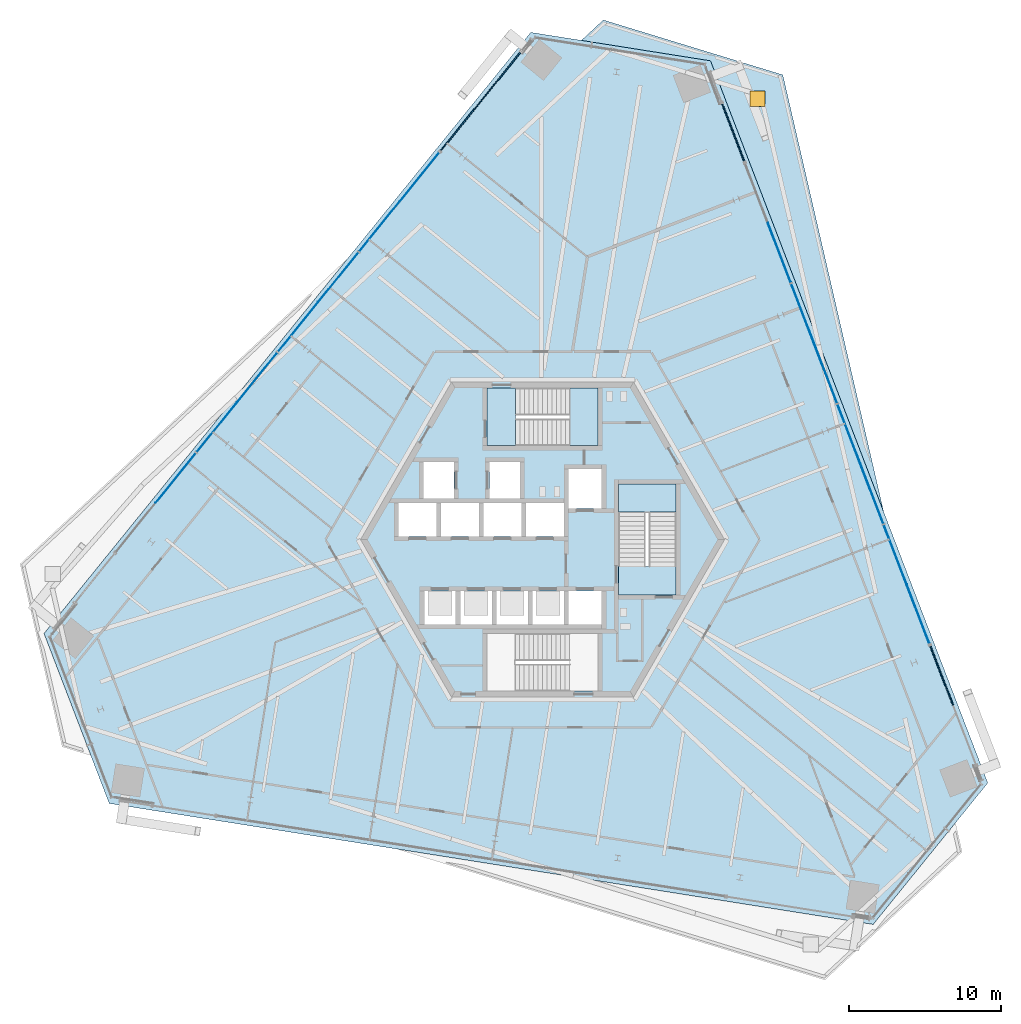
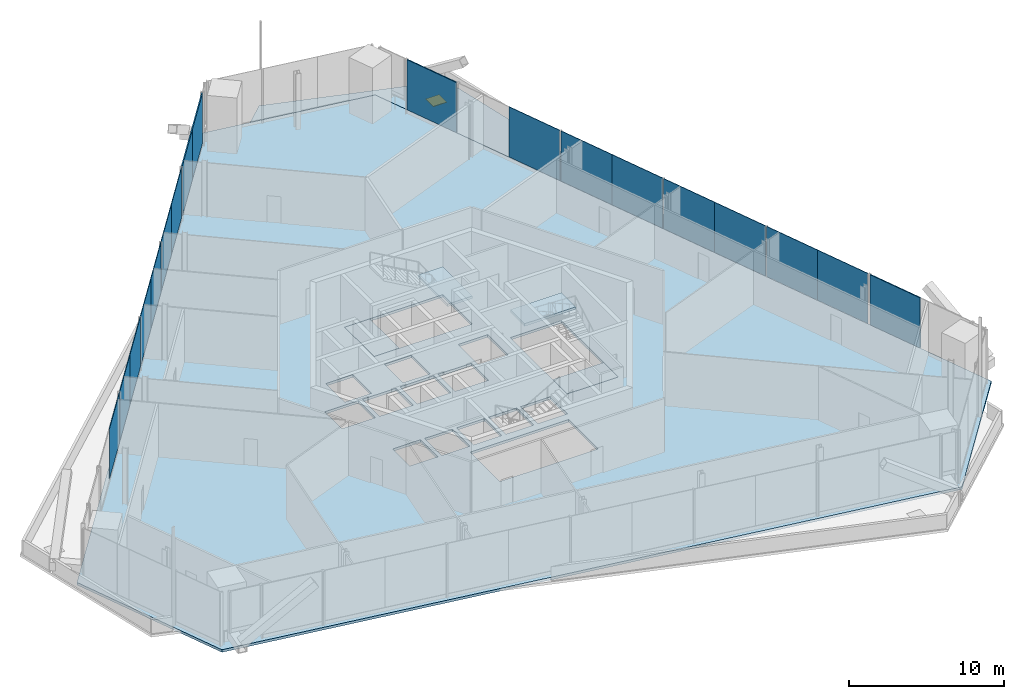
# One storey, part 11 of 22: 18 plates, 6 slabs, 1 door, 1 opening, 7 elements without a shape of their own.
"""IFC4 building model written with IfcOpenShell, lengths in metres."""

from ifc_helpers import new_model, si_unit, direction, frame, origin, origin_2d, place, context, subcontext, project, spatial, polyline, rectangle, outline, extrude, source, transform, mapped, material, layer, layer_set, type_object, element, fill, aggregate, save


model = new_model("IFC4")

# Units and contexts
model_context = context("Model", 3, precision=1e-05, world=origin(), true_north=direction((0.0, 1.0)))
body_context = subcontext(model_context, "Body", "Model", "MODEL_VIEW")
ifc_project = project(units=[si_unit("LENGTHUNIT", "METRE"), si_unit("AREAUNIT", "SQUARE_METRE"), si_unit("VOLUMEUNIT", "CUBIC_METRE"), si_unit("PLANEANGLEUNIT", "RADIAN"), si_unit("MASSUNIT", "GRAM", prefix="KILO")], contexts=[model_context])

# Site, building, storey
site_placement = place(None, origin())
site = spatial("IfcSite", under=ifc_project, at=site_placement, CompositionType="ELEMENT")
building_placement = place(site_placement, origin())
building = spatial("IfcBuilding", under=site, at=building_placement, Name="Triune Harvest Tower", CompositionType="ELEMENT")
storey_placement = place(building_placement, frame((0.0, 0.0, 138.10009765625)))
storey = spatial("IfcBuildingStorey", under=building, at=storey_placement, Name="L35", CompositionType="ELEMENT", Elevation=138.10009765625)

# Slab
ifc_material_1 = material(Name="Concrete 40 MPa", Category="concrete")
ifc_layer_1 = layer(ifc_material_1, 0.199951171875)
ifc_layer_set_1 = layer_set([ifc_layer_1], Name="Concrete 40 MPa")
slab_type_1 = type_object("IfcSlabType", Name="SL-3 Composite floor slab 200", PredefinedType="FLOOR", material=ifc_layer_set_1)
slab_1_placement = place(storey_placement, frame((0.0, 0.0, -0.2001953125)))
element("IfcSlab", 1, at=slab_1_placement, inside=storey, type_object=slab_type_1, Name="slab/L35/1", PredefinedType="FLOOR", context=body_context, shape_type="SweptSolid", body=[
    extrude(outline(polyline([(29.35107421875, -16.04736328125), (11.07421875, 31.565185546875), (-0.778076171875, 33.4423828125), (-32.873291015625, -6.19189453125), (-28.572998046875, -17.39501953125), (21.799072265625, -25.373291015625), (29.35107421875, -16.04736328125)]), holes=[polyline([(-7.0, 0.2099609375), (-7.0, 2.409912109375), (-9.5, 2.409912109375), (-9.5, 0.2099609375), (-7.0, 0.2099609375)]), polyline([(-4.199951171875, 0.2099609375), (-4.199951171875, 2.409912109375), (-6.699951171875, 2.409912109375), (-6.699951171875, 0.2099609375), (-4.199951171875, 0.2099609375)]), polyline([(-1.39990234375, 0.2099609375), (-1.39990234375, 2.409912109375), (-3.89990234375, 2.409912109375), (-3.89990234375, 0.2099609375), (-1.39990234375, 0.2099609375)]), polyline([(1.39990234375, 0.2099609375), (1.39990234375, 2.409912109375), (-1.10009765625, 2.409912109375), (-1.10009765625, 0.2099609375), (1.39990234375, 0.2099609375)]), polyline([(-5.72509765625, -5.590087890625), (-5.72509765625, -3.389892578125), (-7.800048828125, -3.389892578125), (-7.800048828125, -5.590087890625), (-5.72509765625, -5.590087890625)]), polyline([(-3.35009765625, -5.590087890625), (-3.35009765625, -3.389892578125), (-5.425048828125, -3.389892578125), (-5.425048828125, -5.590087890625), (-3.35009765625, -5.590087890625)]), polyline([(-0.97509765625, -5.590087890625), (-0.97509765625, -3.389892578125), (-3.050048828125, -3.389892578125), (-3.050048828125, -5.590087890625), (-0.97509765625, -5.590087890625)]), polyline([(1.39990234375, -5.590087890625), (1.39990234375, -3.389892578125), (-0.675048828125, -3.389892578125), (-0.675048828125, -5.590087890625), (1.39990234375, -5.590087890625)]), polyline([(3.89990234375, 2.06005859375), (3.89990234375, 4.659912109375), (1.699951171875, 4.659912109375), (1.699951171875, 2.06005859375), (3.89990234375, 2.06005859375)]), polyline([(3.89990234375, -5.590087890625), (3.89990234375, -3.389892578125), (1.699951171875, -3.389892578125), (1.699951171875, -5.590087890625), (3.89990234375, -5.590087890625)]), polyline([(-5.85009765625, 2.7099609375), (-5.85009765625, 5.110107421875), (-7.85009765625, 5.110107421875), (-7.85009765625, 2.7099609375), (-5.85009765625, 2.7099609375)]), polyline([(-1.5, 2.7099609375), (-1.5, 5.110107421875), (-3.5, 5.110107421875), (-3.5, 2.7099609375), (-1.5, 2.7099609375)]), polyline([(3.64990234375, 6.18994140625), (3.64990234375, 9.989990234375), (-3.64990234375, 9.989990234375), (-3.64990234375, 6.18994140625), (3.64990234375, 6.18994140625)]), polyline([(3.64990234375, -9.989990234375), (3.64990234375, -6.18994140625), (-3.64990234375, -6.18994140625), (-3.64990234375, -9.989990234375), (3.64990234375, -9.989990234375)]), polyline([(8.800048828125, -3.64990234375), (8.800048828125, 3.64990234375), (5.0, 3.64990234375), (5.0, -3.64990234375), (8.800048828125, -3.64990234375)])]), origin(), (0.0, 0.0, 1.0), 0.2001953125),
])

# Slab, opening, door
ifc_material_2 = material(Name="Concrete 40 MPa", Category="concrete")
ifc_layer_2 = layer(ifc_material_2, 0.199951171875)
ifc_layer_set_2 = layer_set([ifc_layer_2], Name="Concrete 40 MPa")
slab_type_2 = type_object("IfcSlabType", Name="WR-2 Wedge roof slab 200", PredefinedType="ROOF", material=ifc_layer_set_2)
slab_2_placement = place(storey_placement, frame((0.0, 0.0, -0.2001953125)))
slab_2 = element("IfcSlab", 2, at=slab_2_placement, inside=storey, type_object=slab_type_2, Name="Wedge roof slab L34 1", PredefinedType="ROOF", context=body_context, shape_type="SweptSolid", body=[
    extrude(outline(polyline([(4.004638671875, 34.2587890625), (2.56201171875, 32.913818359375), (11.074462890625, 31.5654296875), (22.4892578125, 1.8291015625), (15.83740234375, 30.641357421875), (4.004638671875, 34.2587890625)])), origin(), (0.0, 0.0, 1.0), 0.2001953125),
])
opening_placement = place(slab_2_placement, frame((14.172119140625, 29.06591796875, 0.0)))
opening = element("IfcOpeningElement", 3, at=opening_placement, cuts=slab_2, Name="Opening RH-L34.2", PredefinedType="OPENING", context=body_context, shape_type="SweptSolid", body=[
    extrude(rectangle(XDim=1.0, YDim=1.0, at=origin_2d()), origin(), (0.0, 0.0, 1.0), 0.2001953125),
])
ifc_material_3 = material(Name="Aluminium bronze anodised", Category="aluminium")
door_type = type_object("IfcDoorType", Name="RH-1 roof hatch 1000 x 1000", OperationType="SINGLE_SWING_LEFT", PredefinedType="TRAPDOOR", material=ifc_material_3)
door_placement = place(opening_placement, frame((0.0, 0.0, 0.150146484375)))
door = element("IfcDoor", 4, at=door_placement, inside=storey, type_object=door_type, Name="Roof hatch L34.2", OperationType="SINGLE_SWING_LEFT", OverallHeight=1.0, OverallWidth=1.0, PredefinedType="TRAPDOOR", context=body_context, shape_type="SweptSolid", body=[
    extrude(rectangle(XDim=1.0, YDim=1.0, at=origin_2d()), origin(), (0.0, 0.0, 1.0), 0.050048828125),
])
fill(opening, door)

# Stair, slabs
ifc_material_4 = material(Name="Concrete 40 MPa", Category="concrete")
stair_type = type_object("IfcStairType", Name="Exit stair 1800 half turn", PredefinedType="HALF_TURN_STAIR", material=ifc_material_4)
stair_1_placement = place(storey_placement, origin())
stair_1 = element("IfcStair", 5, at=stair_1_placement, inside=storey, type_object=stair_type, Name="Exit stair north", PredefinedType="HALF_TURN_STAIR")
ifc_material_5 = material(Name="Concrete 40 MPa", Category="concrete")
ifc_layer_3 = layer(ifc_material_5, 0.199951171875)
ifc_layer_set_3 = layer_set([ifc_layer_3], Name="Concrete 40 MPa")
slab_type_3 = type_object("IfcSlabType", Name="Stair landing 200", PredefinedType="LANDING", material=ifc_layer_set_3)
shared_shape_1 = source(origin(), body_context, "Body", "SweptSolid", [
    extrude(outline(polyline([(1.81005859375, 6.18994140625), (3.64990234375, 6.18994140625), (3.64990234375, 9.989990234375), (1.81005859375, 9.989990234375), (1.81005859375, 6.18994140625)])), origin(), (0.0, 0.0, 1.0), 0.199951171875),
])
slab_3_placement = place(storey_placement, frame((0.0, 0.0, 2.0)))
slab_3 = element("IfcSlab", 6, at=slab_3_placement, type_object=slab_type_3, Name="ST-1 landing 2", PredefinedType="LANDING", context=body_context, shape_type="MappedRepresentation", body=[
    mapped(shared_shape_1, transform((0.0, 0.0, 0.0), scale=1.0)),
])
shared_shape_2 = source(origin(), body_context, "Body", "SweptSolid", [
    extrude(outline(polyline([(-3.64990234375, 6.18994140625), (-1.780029296875, 6.18994140625), (-1.780029296875, 9.989990234375), (-3.64990234375, 9.989990234375), (-3.64990234375, 6.18994140625)])), origin(), (0.0, 0.0, 1.0), 0.2001953125),
])
slab_4_placement = place(storey_placement, frame((0.0, 0.0, -0.2001953125)))
slab_4 = element("IfcSlab", 7, at=slab_4_placement, type_object=slab_type_3, Name="ST-1 landing 1", PredefinedType="LANDING", context=body_context, shape_type="MappedRepresentation", body=[
    mapped(shared_shape_2, transform((0.0, 0.0, 0.0), scale=1.0)),
])
aggregate(stair_1, [slab_4, slab_3])

stair_2_placement = place(storey_placement, origin())
stair_2 = element("IfcStair", 8, at=stair_2_placement, inside=storey, type_object=stair_type, Name="Exit stair east", PredefinedType="HALF_TURN_STAIR")
shared_shape_3 = source(origin(), body_context, "Body", "SweptSolid", [
    extrude(outline(polyline([(8.800048828125, 1.81005859375), (8.800048828125, 3.64990234375), (5.0, 3.64990234375), (5.0, 1.81005859375), (8.800048828125, 1.81005859375)])), origin(), (0.0, 0.0, 1.0), 0.199951171875),
])
slab_5_placement = place(storey_placement, frame((0.0, 0.0, 2.0)))
slab_5 = element("IfcSlab", 9, at=slab_5_placement, type_object=slab_type_3, Name="ST-3 landing 2", PredefinedType="LANDING", context=body_context, shape_type="MappedRepresentation", body=[
    mapped(shared_shape_3, transform((0.0, 0.0, 0.0), scale=1.0)),
])
shared_shape_4 = source(origin(), body_context, "Body", "SweptSolid", [
    extrude(outline(polyline([(8.800048828125, -3.64990234375), (8.800048828125, -1.780029296875), (5.0, -1.780029296875), (5.0, -3.64990234375), (8.800048828125, -3.64990234375)])), origin(), (0.0, 0.0, 1.0), 0.2001953125),
])
slab_6_placement = place(storey_placement, frame((0.0, 0.0, -0.2001953125)))
slab_6 = element("IfcSlab", 10, at=slab_6_placement, type_object=slab_type_3, Name="ST-3 landing 1", PredefinedType="LANDING", context=body_context, shape_type="MappedRepresentation", body=[
    mapped(shared_shape_4, transform((0.0, 0.0, 0.0), scale=1.0)),
])
aggregate(stair_2, [slab_6, slab_5])

# Curtain wall, plate
ifc_material_6 = material(Name="Aluminium bronze anodised", Category="aluminium")
curtain_wall_type_1 = type_object("IfcCurtainWallType", Name="CW-9 Sky lobby tall glazing wall with insulated spandrel infill", PredefinedType="NOTDEFINED", material=ifc_material_6)
curtain_wall_1_placement = place(storey_placement, origin())
curtain_wall_1 = element("IfcCurtainWall", 11, at=curtain_wall_1_placement, inside=storey, type_object=curtain_wall_type_1, Name="CW-9 B4-F1 L35 run 101")
ifc_material_7 = material(Name="Insulated spandrel panel, bronze aluminium pan", Category="aluminium")
ifc_layer_4 = layer(ifc_material_7, 0.080078125)
ifc_layer_set_4 = layer_set([ifc_layer_4], Name="Insulated spandrel panel, bronze aluminium pan")
plate_type_1 = type_object("IfcPlateType", Name="SP-1 insulated spandrel panel 80", PredefinedType="CURTAIN_PANEL", material=ifc_layer_set_4)
shared_shape_5 = source(origin(), body_context, "Body", "SweptSolid", [
    extrude(rectangle(XDim=4.166015625, YDim=0.080078125, at=origin_2d()), origin(), (0.0, 0.0, 1.0), 3.93994140625),
])
plate_1_placement = place(storey_placement, frame((26.311767578125, -8.967041015625, 0.300048828125), z_axis=(0.0, 0.0, 1.0), x_axis=(-0.358368900385, 0.933580061504, 0.0)))
plate_1 = element("IfcPlate", 12, at=plate_1_placement, type_object=plate_type_1, Name="CW-9 panel B4-F1 101.2", PredefinedType="CURTAIN_PANEL", context=body_context, shape_type="MappedRepresentation", body=[
    mapped(shared_shape_5, transform((0.0, 0.0, 0.0), scale=1.0)),
])
aggregate(curtain_wall_1, [plate_1])

# Curtain wall, plates
curtain_wall_2_placement = place(storey_placement, origin())
curtain_wall_2 = element("IfcCurtainWall", 13, at=curtain_wall_2_placement, inside=storey, type_object=curtain_wall_type_1, Name="CW-9 B4-F3 L35 run 101")
plate_2_placement = place(storey_placement, frame((-2.768310546875, 30.5078125, 0.300048828125), z_axis=(0.0, 0.0, 1.0), x_axis=(-0.629321573361, -0.777145004039, 0.0)))
plate_2 = element("IfcPlate", 14, at=plate_2_placement, type_object=plate_type_1, Name="CW-9 panel B4-F3 101.1", PredefinedType="CURTAIN_PANEL", context=body_context, shape_type="MappedRepresentation", body=[
    mapped(shared_shape_5, transform((0.0, 0.0, 0.0), scale=1.0)),
])
plate_3_placement = place(storey_placement, frame((-5.39013671875, 27.270263671875, 0.300048828125), z_axis=(0.0, 0.0, 1.0), x_axis=(-0.629321573361, -0.777145004039, 0.0)))
plate_3 = element("IfcPlate", 15, at=plate_3_placement, type_object=plate_type_1, Name="CW-9 panel B4-F3 101.2", PredefinedType="CURTAIN_PANEL", context=body_context, shape_type="MappedRepresentation", body=[
    mapped(shared_shape_5, transform((0.0, 0.0, 0.0), scale=1.0)),
])
aggregate(curtain_wall_2, [plate_2, plate_3])

# Curtain wall, plate
ifc_material_8 = material(Name="Aluminium bronze anodised", Category="aluminium")
curtain_wall_type_2 = type_object("IfcCurtainWallType", Name="CW-4 Sky lobby tall glazing wall", PredefinedType="NOTDEFINED", material=ifc_material_8)
curtain_wall_3_placement = place(storey_placement, origin())
curtain_wall_3 = element("IfcCurtainWall", 16, at=curtain_wall_3_placement, inside=storey, type_object=curtain_wall_type_2, Name="CW-4 B4-F1 L35 run 1101")
ifc_material_9 = material(Name="Glass", Category="glass")
ifc_layer_5 = layer(ifc_material_9, 0.0439453125)
ifc_layer_set_5 = layer_set([ifc_layer_5], Name="Glass")
plate_type_2 = type_object("IfcPlateType", Name="GL-4 panel 44", PredefinedType="CURTAIN_PANEL", material=ifc_layer_set_5)
shared_shape_6 = source(origin(), body_context, "Body", "SweptSolid", [
    extrude(rectangle(XDim=4.166015625, YDim=0.0439453125, at=origin_2d()), origin(), (0.0, 0.0, 1.0), 3.93994140625),
])
plate_4_placement = place(storey_placement, frame((24.75439453125, -4.90966796875, 0.300048828125), z_axis=(0.0, 0.0, 1.0), x_axis=(-0.358368900385, 0.933580061504, 0.0)))
plate_4 = element("IfcPlate", 17, at=plate_4_placement, type_object=plate_type_2, Name="CW-4 panel B4-F1 1101.1", PredefinedType="CURTAIN_PANEL", context=body_context, shape_type="MappedRepresentation", body=[
    mapped(shared_shape_6, transform((0.0, 0.0, 0.0), scale=1.0)),
])

curtain_wall_4_placement = place(storey_placement, origin())
curtain_wall_4 = element("IfcCurtainWall", 18, at=curtain_wall_4_placement, inside=storey, type_object=curtain_wall_type_2, Name="CW-4 B4-F3 L35 run 1101")
plate_5_placement = place(storey_placement, frame((-8.125244140625, 23.892822265625, 0.300048828125), z_axis=(0.0, 0.0, 1.0), x_axis=(-0.629321573361, -0.777145004039, 0.0)))
plate_5 = element("IfcPlate", 19, at=plate_5_placement, type_object=plate_type_2, Name="CW-4 panel B4-F3 1101.1", PredefinedType="CURTAIN_PANEL", context=body_context, shape_type="MappedRepresentation", body=[
    mapped(shared_shape_6, transform((0.0, 0.0, 0.0), scale=1.0)),
])

# Plate
shared_shape_7 = source(origin(), body_context, "Body", "SweptSolid", [
    extrude(rectangle(XDim=4.211181640625, YDim=0.0439453125, at=origin_2d()), origin(), (0.0, 0.0, 1.0), 3.93994140625),
])
plate_6_placement = place(storey_placement, frame((23.253173828125, -0.999267578125, 0.300048828125), z_axis=(0.0, 0.0, 1.0), x_axis=(-0.358368900385, 0.933580061504, 0.0)))
plate_6 = element("IfcPlate", 20, at=plate_6_placement, type_object=plate_type_2, Name="CW-4 panel B4-F1 1101.2", PredefinedType="CURTAIN_PANEL", context=body_context, shape_type="MappedRepresentation", body=[
    mapped(shared_shape_7, transform((0.0, 0.0, 0.0), scale=1.0)),
])

plate_7_placement = place(storey_placement, frame((21.7119140625, 3.01611328125, 0.300048828125), z_axis=(0.0, 0.0, 1.0), x_axis=(-0.358368900385, 0.933580061504, 0.0)))
plate_7 = element("IfcPlate", 21, at=plate_7_placement, type_object=plate_type_2, Name="CW-4 panel B4-F1 1101.3", PredefinedType="CURTAIN_PANEL", context=body_context, shape_type="MappedRepresentation", body=[
    mapped(shared_shape_7, transform((0.0, 0.0, 0.0), scale=1.0)),
])

plate_8_placement = place(storey_placement, frame((20.202880859375, 6.947509765625, 0.300048828125), z_axis=(0.0, 0.0, 1.0), x_axis=(-0.358368900385, 0.933580061504, 0.0)))
plate_8 = element("IfcPlate", 22, at=plate_8_placement, type_object=plate_type_2, Name="CW-4 panel B4-F1 1101.4", PredefinedType="CURTAIN_PANEL", context=body_context, shape_type="MappedRepresentation", body=[
    mapped(shared_shape_7, transform((0.0, 0.0, 0.0), scale=1.0)),
])

plate_9_placement = place(storey_placement, frame((18.661376953125, 10.962890625, 0.300048828125), z_axis=(0.0, 0.0, 1.0), x_axis=(-0.358368900385, 0.933580061504, 0.0)))
plate_9 = element("IfcPlate", 23, at=plate_9_placement, type_object=plate_type_2, Name="CW-4 panel B4-F1 1101.5", PredefinedType="CURTAIN_PANEL", context=body_context, shape_type="MappedRepresentation", body=[
    mapped(shared_shape_7, transform((0.0, 0.0, 0.0), scale=1.0)),
])

plate_10_placement = place(storey_placement, frame((17.15234375, 14.894287109375, 0.300048828125), z_axis=(0.0, 0.0, 1.0), x_axis=(-0.358368900385, 0.933580061504, 0.0)))
plate_10 = element("IfcPlate", 24, at=plate_10_placement, type_object=plate_type_2, Name="CW-4 panel B4-F1 1101.6", PredefinedType="CURTAIN_PANEL", context=body_context, shape_type="MappedRepresentation", body=[
    mapped(shared_shape_7, transform((0.0, 0.0, 0.0), scale=1.0)),
])

plate_11_placement = place(storey_placement, frame((15.61083984375, 18.90966796875, 0.300048828125), z_axis=(0.0, 0.0, 1.0), x_axis=(-0.358368900385, 0.933580061504, 0.0)))
plate_11 = element("IfcPlate", 25, at=plate_11_placement, type_object=plate_type_2, Name="CW-4 panel B4-F1 1101.7", PredefinedType="CURTAIN_PANEL", context=body_context, shape_type="MappedRepresentation", body=[
    mapped(shared_shape_7, transform((0.0, 0.0, 0.0), scale=1.0)),
])

aggregate(curtain_wall_3, [plate_4, plate_6, plate_7, plate_8, plate_9, plate_10, plate_11])

plate_12_placement = place(storey_placement, frame((-10.76123046875, 20.6376953125, 0.300048828125), z_axis=(0.0, 0.0, 1.0), x_axis=(-0.629321573361, -0.777145004039, 0.0)))
plate_12 = element("IfcPlate", 26, at=plate_12_placement, type_object=plate_type_2, Name="CW-4 panel B4-F3 1101.2", PredefinedType="CURTAIN_PANEL", context=body_context, shape_type="MappedRepresentation", body=[
    mapped(shared_shape_7, transform((0.0, 0.0, 0.0), scale=1.0)),
])

plate_13_placement = place(storey_placement, frame((-13.468017578125, 17.294921875, 0.300048828125), z_axis=(0.0, 0.0, 1.0), x_axis=(-0.629321573361, -0.777145004039, 0.0)))
plate_13 = element("IfcPlate", 27, at=plate_13_placement, type_object=plate_type_2, Name="CW-4 panel B4-F3 1101.3", PredefinedType="CURTAIN_PANEL", context=body_context, shape_type="MappedRepresentation", body=[
    mapped(shared_shape_7, transform((0.0, 0.0, 0.0), scale=1.0)),
])

plate_14_placement = place(storey_placement, frame((-16.1181640625, 14.0224609375, 0.300048828125), z_axis=(0.0, 0.0, 1.0), x_axis=(-0.629321573361, -0.777145004039, 0.0)))
plate_14 = element("IfcPlate", 28, at=plate_14_placement, type_object=plate_type_2, Name="CW-4 panel B4-F3 1101.4", PredefinedType="CURTAIN_PANEL", context=body_context, shape_type="MappedRepresentation", body=[
    mapped(shared_shape_7, transform((0.0, 0.0, 0.0), scale=1.0)),
])

plate_15_placement = place(storey_placement, frame((-18.824951171875, 10.679931640625, 0.300048828125), z_axis=(0.0, 0.0, 1.0), x_axis=(-0.629321573361, -0.777145004039, 0.0)))
plate_15 = element("IfcPlate", 29, at=plate_15_placement, type_object=plate_type_2, Name="CW-4 panel B4-F3 1101.5", PredefinedType="CURTAIN_PANEL", context=body_context, shape_type="MappedRepresentation", body=[
    mapped(shared_shape_7, transform((0.0, 0.0, 0.0), scale=1.0)),
])

plate_16_placement = place(storey_placement, frame((-21.47509765625, 7.4072265625, 0.300048828125), z_axis=(0.0, 0.0, 1.0), x_axis=(-0.629321573361, -0.777145004039, 0.0)))
plate_16 = element("IfcPlate", 30, at=plate_16_placement, type_object=plate_type_2, Name="CW-4 panel B4-F3 1101.6", PredefinedType="CURTAIN_PANEL", context=body_context, shape_type="MappedRepresentation", body=[
    mapped(shared_shape_7, transform((0.0, 0.0, 0.0), scale=1.0)),
])

plate_17_placement = place(storey_placement, frame((-24.181884765625, 4.064697265625, 0.300048828125), z_axis=(0.0, 0.0, 1.0), x_axis=(-0.629321573361, -0.777145004039, 0.0)))
plate_17 = element("IfcPlate", 31, at=plate_17_placement, type_object=plate_type_2, Name="CW-4 panel B4-F3 1101.7", PredefinedType="CURTAIN_PANEL", context=body_context, shape_type="MappedRepresentation", body=[
    mapped(shared_shape_7, transform((0.0, 0.0, 0.0), scale=1.0)),
])

aggregate(curtain_wall_4, [plate_5, plate_12, plate_13, plate_14, plate_15, plate_16, plate_17])

# Curtain wall, plate
curtain_wall_5_placement = place(storey_placement, origin())
curtain_wall_5 = element("IfcCurtainWall", 32, at=curtain_wall_5_placement, inside=storey, type_object=curtain_wall_type_1, Name="CW-9 B4-F1 L35 run 2101")
shared_shape_8 = source(origin(), body_context, "Body", "SweptSolid", [
    extrude(rectangle(XDim=4.076171875, YDim=0.080078125, at=origin_2d()), origin(), (0.0, 0.0, 1.0), 3.93994140625),
])
plate_18_placement = place(storey_placement, frame((12.568359375, 26.83544921875, 0.300048828125), z_axis=(0.0, 0.0, 1.0), x_axis=(-0.358379139444, 0.933576131021, 0.0)))
plate_18 = element("IfcPlate", 33, at=plate_18_placement, type_object=plate_type_1, Name="CW-9 panel B4-F1 2101.1", PredefinedType="CURTAIN_PANEL", context=body_context, shape_type="MappedRepresentation", body=[
    mapped(shared_shape_8, transform((0.0, 0.0, 0.0), scale=1.0)),
])
aggregate(curtain_wall_5, [plate_18])

save(model, "model.ifc")
